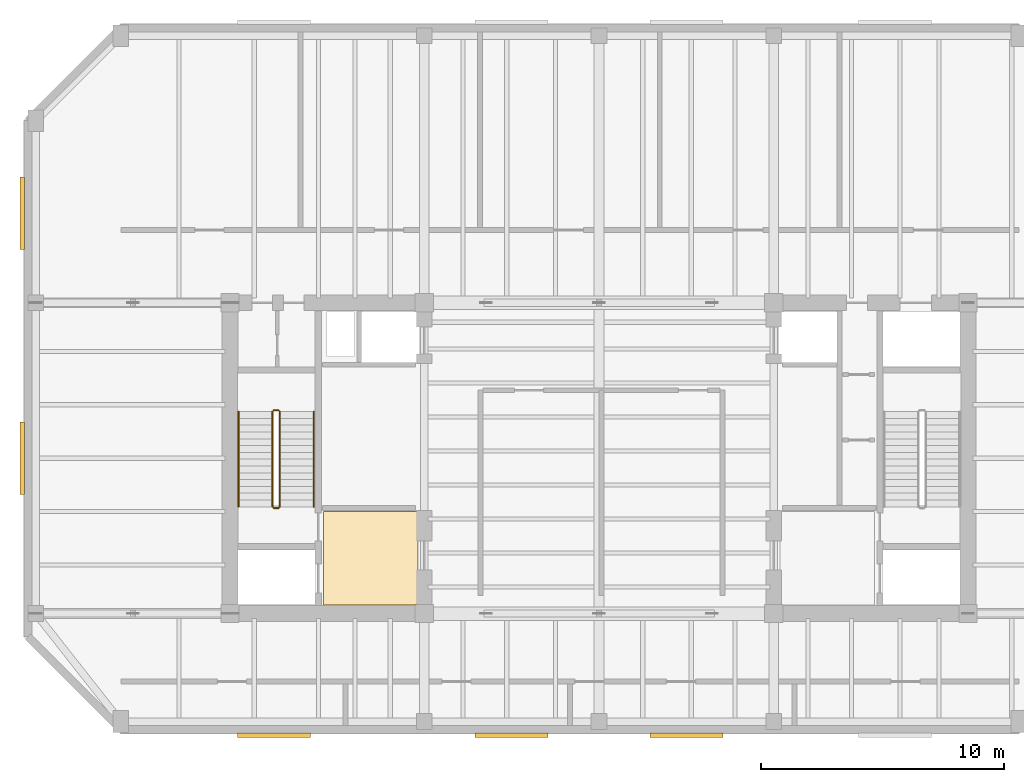
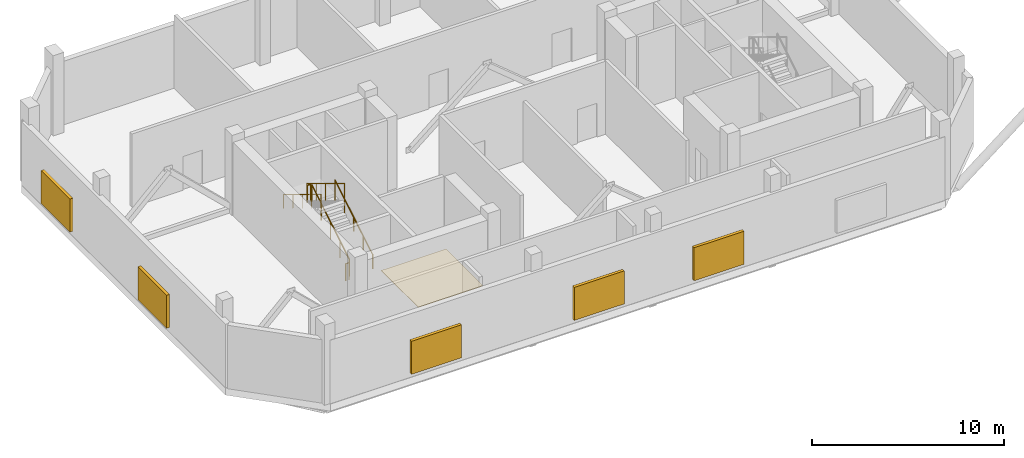
# One storey, part 7 of 9: 6 railings, 5 shading devices, 1 covering.
"""IFC4 building model written with IfcOpenShell, lengths in metres."""

from ifc_helpers import new_model, si_unit, direction, frame, origin, origin_2d, place, context, subcontext, project, spatial, polyline, rectangle, circle, outline, extrude, material, layer, layer_set, type_object, element, save


model = new_model("IFC4")

# Units and contexts
model_context = context("Model", 3, precision=1e-05, world=origin(), true_north=direction((0.0, 1.0)))
body_context = subcontext(model_context, "Body", "Model", "MODEL_VIEW")
ifc_project = project(units=[si_unit("LENGTHUNIT", "METRE"), si_unit("AREAUNIT", "SQUARE_METRE"), si_unit("VOLUMEUNIT", "CUBIC_METRE"), si_unit("PLANEANGLEUNIT", "RADIAN"), si_unit("MASSUNIT", "GRAM", prefix="KILO")], contexts=[model_context])

# Site, building, storey
site_placement = place(None, origin())
site = spatial("IfcSite", under=ifc_project, at=site_placement, CompositionType="ELEMENT")
building_placement = place(site_placement, origin())
building = spatial("IfcBuilding", under=site, at=building_placement, Name="Kranthara Brick Stack", CompositionType="ELEMENT")
storey_placement = place(building_placement, frame((0.0, 0.0, 282.300048828125)))
storey = spatial("IfcBuildingStorey", under=building, at=storey_placement, Name="L75", CompositionType="ELEMENT", Elevation=282.300048828125)

# Covering
ifc_material_1 = material(Name="Honed terrazzo and porcelain floor finish", Category="stone")
ifc_layer = layer(ifc_material_1, 0.030029296875)
ifc_layer_set = layer_set([ifc_layer], Name="Honed terrazzo and porcelain floor finish")
covering_type = type_object("IfcCoveringType", Name="COV-FLOR-STONE", PredefinedType="FLOORING", material=ifc_layer_set)
covering_placement = place(storey_placement, origin())
element("IfcCovering", 1, at=covering_placement, inside=storey, type_object=covering_type, Name="L75 Lift Lobby Stone Flooring", PredefinedType="FLOORING", context=body_context, shape_type="SweptSolid", body=[
    extrude(outline(polyline([(16.64990234375, 21.14990234375), (16.64990234375, 25.0), (20.550048828125, 25.0), (20.550048828125, 21.18505859375), (20.4150390625, 21.18505859375), (20.4150390625, 21.14990234375), (16.64990234375, 21.14990234375)])), origin(), (0.0, 0.0, 1.0), 0.030029296875),
])

# Railings
ifc_material_2 = material(Name="Painted galvanized steel stair guardrail", Category="steel")
railing_type_1 = type_object("IfcRailingType", Name="RL-STAIR-GUARD-1100", PredefinedType="GUARDRAIL", material=ifc_material_2)
railing_1_placement = place(storey_placement, frame((14.85009765625, 25.199951171875, 0.169921875)))
element("IfcRailing", 2, at=railing_1_placement, inside=storey, type_object=railing_type_1, Name="L75 ST01 stair guard 1", PredefinedType="GUARDRAIL", context=body_context, shape_type="SweptSolid", body=[
    extrude(circle(Radius=0.02392578125, at=origin_2d()), frame((0.0, 0.0, 1.076171875), z_axis=(0.0, 0.854784984964, 0.518982301701), x_axis=(-1.0, 0.0, 0.0)), (0.0, 0.0, 1.0), 4.586181640625),
    extrude(circle(Radius=0.02099609375, at=origin_2d()), origin(), (0.0, 0.0, 1.0), 1.052001953125),
    extrude(circle(Radius=0.02099609375, at=origin_2d()), frame((0.0, 0.97998046875, 0.594970703125)), (0.0, 0.0, 1.0), 1.052001953125),
    extrude(circle(Radius=0.02099609375, at=origin_2d()), frame((0.0, 1.9599609375, 1.18994140625)), (0.0, 0.0, 1.0), 1.052001953125),
    extrude(circle(Radius=0.02099609375, at=origin_2d()), frame((0.0, 2.940185546875, 1.78515625)), (0.0, 0.0, 1.0), 1.052001953125),
    extrude(circle(Radius=0.02099609375, at=origin_2d()), frame((0.0, 3.920166015625, 2.380126953125)), (0.0, 0.0, 1.0), 1.052001953125),
])
railing_2_placement = place(storey_placement, frame((14.800048828125, 29.169921875, 2.550048828125)))
element("IfcRailing", 3, at=railing_2_placement, inside=storey, type_object=railing_type_1, Name="L75 ST01 stair guard 2", PredefinedType="GUARDRAIL", context=body_context, shape_type="SweptSolid", body=[
    extrude(circle(Radius=0.02392578125, at=origin_2d()), frame((0.0, 0.0, 1.076171875), z_axis=(-1.0, 0.0, 0.0), x_axis=(0.0, -1.0, 0.0)), (0.0, 0.0, 1.0), 0.199951171875),
    extrude(circle(Radius=0.02099609375, at=origin_2d()), origin(), (0.0, 0.0, 1.0), 1.052001953125),
    extrude(circle(Radius=0.02099609375, at=origin_2d()), frame((-0.199951171875, 0.0, 0.0)), (0.0, 0.0, 1.0), 1.052001953125),
])
railing_3_placement = place(storey_placement, frame((14.550048828125, 29.1201171875, 2.719970703125)))
element("IfcRailing", 4, at=railing_3_placement, inside=storey, type_object=railing_type_1, Name="L75 ST01 stair guard 3", PredefinedType="GUARDRAIL", context=body_context, shape_type="SweptSolid", body=[
    extrude(circle(Radius=0.02392578125, at=origin_2d()), frame((0.0, 0.0, 1.076171875), z_axis=(0.0, -0.854808600491, 0.518943403973), x_axis=(1.0, 0.0, 0.0)), (0.0, 0.0, 1.0), 4.5859375),
    extrude(circle(Radius=0.02099609375, at=origin_2d()), origin(), (0.0, 0.0, 1.0), 1.052001953125),
    extrude(circle(Radius=0.02099609375, at=origin_2d()), frame((0.0, -0.97998046875, 0.594970703125)), (0.0, 0.0, 1.0), 1.052001953125),
    extrude(circle(Radius=0.02099609375, at=origin_2d()), frame((0.0, -1.9599609375, 1.18994140625)), (0.0, 0.0, 1.0), 1.052001953125),
    extrude(circle(Radius=0.02099609375, at=origin_2d()), frame((0.0, -2.940185546875, 1.784912109375)), (0.0, 0.0, 1.0), 1.052001953125),
    extrude(circle(Radius=0.02099609375, at=origin_2d()), frame((0.0, -3.920166015625, 2.3798828125)), (0.0, 0.0, 1.0), 1.052001953125),
])
railing_4_placement = place(storey_placement, frame((14.800048828125, 25.14990234375, 0.0)))
element("IfcRailing", 5, at=railing_4_placement, inside=storey, type_object=railing_type_1, Name="L75 ST01 stair guard 4", PredefinedType="GUARDRAIL", context=body_context, shape_type="SweptSolid", body=[
    extrude(circle(Radius=0.02392578125, at=origin_2d()), frame((0.0, 0.0, 1.076171875), z_axis=(-1.0, 0.0, 0.0), x_axis=(0.0, -1.0, 0.0)), (0.0, 0.0, 1.0), 0.199951171875),
    extrude(circle(Radius=0.02099609375, at=origin_2d()), origin(), (0.0, 0.0, 1.0), 1.052001953125),
    extrude(circle(Radius=0.02099609375, at=origin_2d()), frame((-0.199951171875, 0.0, 0.0)), (0.0, 0.0, 1.0), 1.052001953125),
])
ifc_material_3 = material(Name="Brushed stainless steel tubular handrail", Category="steel")
railing_type_2 = type_object("IfcRailingType", Name="RL-STAIR-HAND-900", PredefinedType="HANDRAIL", material=ifc_material_3)
railing_5_placement = place(storey_placement, frame((16.25, 25.199951171875, 0.169921875)))
element("IfcRailing", 6, at=railing_5_placement, inside=storey, type_object=railing_type_2, Name="L75 ST01 stair handrail 1", PredefinedType="HANDRAIL", context=body_context, shape_type="SweptSolid", body=[
    extrude(circle(Radius=0.02392578125, at=origin_2d()), frame((0.0, 0.0, 0.8759765625), z_axis=(0.0, 0.854784984964, 0.518982301701), x_axis=(-1.0, 0.0, 0.0)), (0.0, 0.0, 1.0), 4.586181640625),
    extrude(circle(Radius=0.02099609375, at=origin_2d()), origin(), (0.0, 0.0, 1.0), 0.851806640625),
    extrude(circle(Radius=0.02099609375, at=origin_2d()), frame((0.0, 0.97998046875, 0.594970703125)), (0.0, 0.0, 1.0), 0.851806640625),
    extrude(circle(Radius=0.02099609375, at=origin_2d()), frame((0.0, 1.9599609375, 1.18994140625)), (0.0, 0.0, 1.0), 0.851806640625),
    extrude(circle(Radius=0.02099609375, at=origin_2d()), frame((0.0, 2.940185546875, 1.78515625)), (0.0, 0.0, 1.0), 0.851806640625),
    extrude(circle(Radius=0.02099609375, at=origin_2d()), frame((0.0, 3.920166015625, 2.380126953125)), (0.0, 0.0, 1.0), 0.851806640625),
])
railing_6_placement = place(storey_placement, frame((13.14990234375, 29.1201171875, 2.719970703125)))
element("IfcRailing", 7, at=railing_6_placement, inside=storey, type_object=railing_type_2, Name="L75 ST01 stair handrail 2", PredefinedType="HANDRAIL", context=body_context, shape_type="SweptSolid", body=[
    extrude(circle(Radius=0.02392578125, at=origin_2d()), frame((0.0, 0.0, 0.8759765625), z_axis=(0.0, -0.854808600491, 0.518943403973), x_axis=(1.0, 0.0, 0.0)), (0.0, 0.0, 1.0), 4.5859375),
    extrude(circle(Radius=0.02099609375, at=origin_2d()), origin(), (0.0, 0.0, 1.0), 0.851806640625),
    extrude(circle(Radius=0.02099609375, at=origin_2d()), frame((0.0, -0.97998046875, 0.594970703125)), (0.0, 0.0, 1.0), 0.851806640625),
    extrude(circle(Radius=0.02099609375, at=origin_2d()), frame((0.0, -1.9599609375, 1.18994140625)), (0.0, 0.0, 1.0), 0.851806640625),
    extrude(circle(Radius=0.02099609375, at=origin_2d()), frame((0.0, -2.940185546875, 1.784912109375)), (0.0, 0.0, 1.0), 0.851806640625),
    extrude(circle(Radius=0.02099609375, at=origin_2d()), frame((0.0, -3.920166015625, 2.3798828125)), (0.0, 0.0, 1.0), 0.851806640625),
])

# Shading devices
ifc_material_4 = material(Name="Bronze anodised aluminium acoustic louvre", Category="aluminium")
shading_device_type = type_object("IfcShadingDeviceType", Name="SHD-LOUVRE-PLANT", PredefinedType="JALOUSIE", material=ifc_material_4)
for number, where, z_axis, x_axis, name in (
    (8, (31.60009765625, 15.7900390625, 0.2998046875), (0.0, 0.0, 1.0), (-1.0, 0.0, 0.0), "L75 SOUTH Mechanical Louvre Bank 2"),
    (9, (24.39990234375, 15.7900390625, 0.2998046875), (0.0, 0.0, 1.0), (-1.0, 0.0, 0.0), "L75 SOUTH Mechanical Louvre Bank 3"),
    (10, (14.612548828125, 15.7900390625, 0.2998046875), (0.0, 0.0, 1.0), (-1.0, 0.0, 0.0), "L75 SOUTH Mechanical Louvre Bank 4"),
    (11, (4.239990234375, 27.199951171875, 0.2998046875), (0.0, 0.0, 1.0), (0.0, 1.0, 0.0), "L75 WEST Mechanical Louvre Bank 1"),
    (12, (4.239990234375, 37.28759765625, 0.2998046875), (0.0, 0.0, 1.0), (0.0, 1.0, 0.0), "L75 WEST Mechanical Louvre Bank 2"),
):
    element("IfcShadingDevice", number, at=place(storey_placement, frame(where, z_axis=z_axis, x_axis=x_axis)), inside=storey, type_object=shading_device_type, Name=name, PredefinedType="JALOUSIE", context=body_context, shape_type="SweptSolid", body=[
        extrude(rectangle(XDim=3.0, YDim=0.179931640625, at=origin_2d()), origin(), (0.0, 0.0, 1.0), 2.10009765625),
    ])

save(model, "model.ifc")
